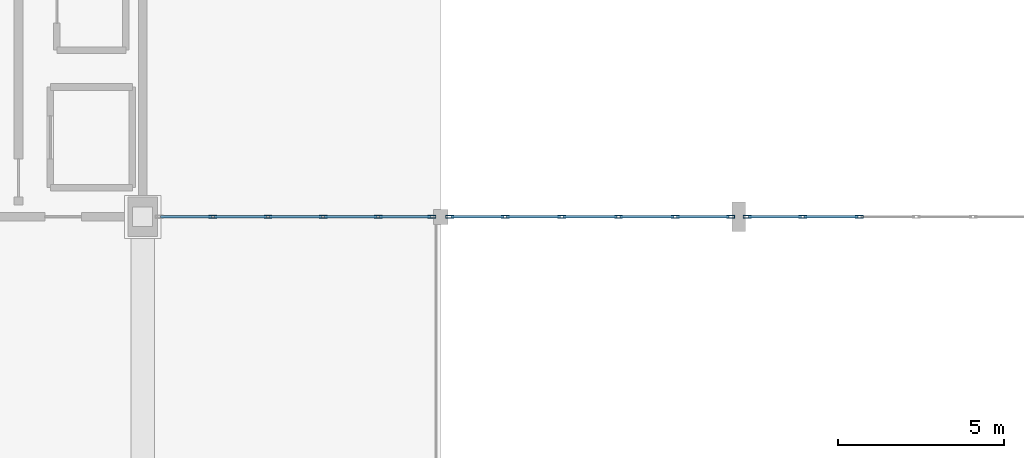
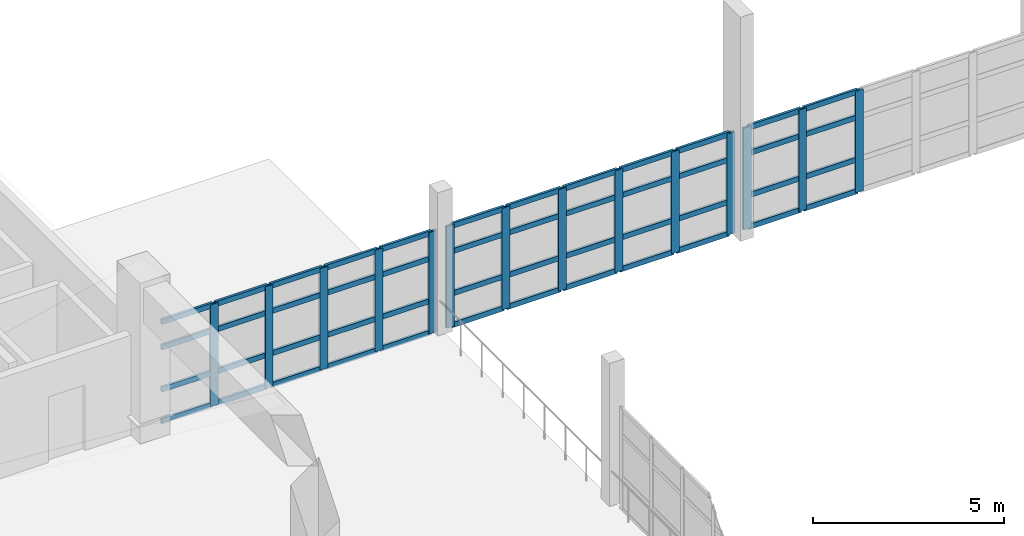
# One storey, part 28 of 80: 62 members, 3 elements without a shape of their own.
"""IFC4 building model written with IfcOpenShell, lengths in metres."""

from ifc_helpers import new_model, si_unit, direction, frame, origin, origin_2d, place, context, subcontext, project, spatial, hollow_rectangle, extrude, material, layer, layer_set, material_profile, profile_set, type_object, element, aggregate, save


model = new_model("IFC4")

# Units and contexts
model_context = context("Model", 3, precision=1e-05, world=origin(), true_north=direction((0.0, 1.0)))
body_context = subcontext(model_context, "Body", "Model", "MODEL_VIEW")
ifc_project = project(units=[si_unit("LENGTHUNIT", "METRE"), si_unit("AREAUNIT", "SQUARE_METRE"), si_unit("VOLUMEUNIT", "CUBIC_METRE"), si_unit("PLANEANGLEUNIT", "RADIAN"), si_unit("MASSUNIT", "GRAM", prefix="KILO")], contexts=[model_context])

# Site, building, storey
site_placement = place(None, origin())
site = spatial("IfcSite", under=ifc_project, at=site_placement, CompositionType="ELEMENT")
building_placement = place(site_placement, origin())
building = spatial("IfcBuilding", under=site, at=building_placement, Name="Ornek Quay Market", CompositionType="ELEMENT")
storey_placement = place(building_placement, frame((0.0, 0.0, 8.39990234375)))
storey = spatial("IfcBuildingStorey", under=building, at=storey_placement, Name="L02", CompositionType="ELEMENT", Elevation=8.39990234375)

# Curtain wall, members
ifc_material_1 = material(Name="Anodised bronze aluminium and triple low-e glass", Category="aluminium")
ifc_layer = layer(ifc_material_1, 0.239990234375, Name="Anodised bronze aluminium and triple low-e glass", Category="aluminium")
ifc_layer_set = layer_set([ifc_layer], Name="Anodised bronze aluminium and triple low-e glass")
curtain_wall_type = type_object("IfcCurtainWallType", Name="CW-GAB-MOD1800", PredefinedType="USERDEFINED", material=ifc_layer_set)
curtain_wall_1_placement = place(storey_placement, origin())
curtain_wall_1 = element("IfcCurtainWall", 1, at=curtain_wall_1_placement, inside=storey, type_object=curtain_wall_type, Name="Curtain wall CW-064", ObjectType="CURTAIN WALL", PredefinedType="USERDEFINED")
ifc_material_2 = material(Name="Anodised aluminium 6063-T6", Category="aluminium")
ifc_material_profile_1 = material_profile(ifc_material_2, hollow_rectangle(XDim=0.080078125, YDim=0.239990234375, WallThickness=0.006103515625, at=origin_2d()), Name="CW-MUL-80x240", Category="aluminium")
ifc_profile_set_1 = profile_set([ifc_material_profile_1], Name="Anodised aluminium 6063-T6")
member_type_1 = type_object("IfcMemberType", Name="CW-MUL-80x240", PredefinedType="MULLION", material=ifc_profile_set_1)
member_1_placement = place(storey_placement, frame((65.1220703125, 92.0, 0.0), z_axis=(0.0, 0.0, 1.0), x_axis=(0.0, 1.0, 0.0)))
member_1 = element("IfcMember", 2, at=member_1_placement, type_object=member_type_1, Name="CW-064 mullion 2", PredefinedType="MULLION", context=body_context, shape_type="SweptSolid", body=[
    extrude(hollow_rectangle(XDim=0.080078125, YDim=0.239990234375, WallThickness=0.006103515625, at=origin_2d()), origin(), (0.0, 0.0, 1.0), 3.25),
])
member_2_placement = place(storey_placement, frame((66.783935546875, 92.0, 0.0), z_axis=(0.0, 0.0, 1.0), x_axis=(0.0, 1.0, 0.0)))
member_2 = element("IfcMember", 3, at=member_2_placement, type_object=member_type_1, Name="CW-064 mullion 3", PredefinedType="MULLION", context=body_context, shape_type="SweptSolid", body=[
    extrude(hollow_rectangle(XDim=0.080078125, YDim=0.239990234375, WallThickness=0.006103515625, at=origin_2d()), origin(), (0.0, 0.0, 1.0), 3.25),
])
member_3_placement = place(storey_placement, frame((68.446044921875, 92.0, 0.0), z_axis=(0.0, 0.0, 1.0), x_axis=(0.0, 1.0, 0.0)))
member_3 = element("IfcMember", 4, at=member_3_placement, type_object=member_type_1, Name="CW-064 mullion 4", PredefinedType="MULLION", context=body_context, shape_type="SweptSolid", body=[
    extrude(hollow_rectangle(XDim=0.080078125, YDim=0.239990234375, WallThickness=0.006103515625, at=origin_2d()), origin(), (0.0, 0.0, 1.0), 3.25),
])
member_4_placement = place(storey_placement, frame((70.10791015625, 92.0, 0.0), z_axis=(0.0, 0.0, 1.0), x_axis=(0.0, 1.0, 0.0)))
member_4 = element("IfcMember", 5, at=member_4_placement, type_object=member_type_1, Name="CW-064 mullion 5", PredefinedType="MULLION", context=body_context, shape_type="SweptSolid", body=[
    extrude(hollow_rectangle(XDim=0.080078125, YDim=0.239990234375, WallThickness=0.006103515625, at=origin_2d()), origin(), (0.0, 0.0, 1.0), 3.25),
])
member_5_placement = place(storey_placement, frame((71.72998046875, 92.0, 0.0), z_axis=(0.0, 0.0, 1.0), x_axis=(0.0, 1.0, 0.0)))
member_5 = element("IfcMember", 6, at=member_5_placement, type_object=member_type_1, Name="CW-064 mullion 6", PredefinedType="MULLION", context=body_context, shape_type="SweptSolid", body=[
    extrude(hollow_rectangle(XDim=0.080078125, YDim=0.239990234375, WallThickness=0.006103515625, at=origin_2d()), origin(), (0.0, 0.0, 1.0), 3.25),
])

curtain_wall_2_placement = place(storey_placement, origin())
curtain_wall_2 = element("IfcCurtainWall", 7, at=curtain_wall_2_placement, inside=storey, type_object=curtain_wall_type, Name="Curtain wall CW-067", ObjectType="CURTAIN WALL", PredefinedType="USERDEFINED")
member_6_placement = place(storey_placement, frame((72.27001953125, 92.0, 0.0), z_axis=(0.0, 0.0, 1.0), x_axis=(0.0, 1.0, 0.0)))
member_6 = element("IfcMember", 8, at=member_6_placement, type_object=member_type_1, Name="CW-067 mullion 1", PredefinedType="MULLION", context=body_context, shape_type="SweptSolid", body=[
    extrude(hollow_rectangle(XDim=0.080078125, YDim=0.239990234375, WallThickness=0.006103515625, at=origin_2d()), origin(), (0.0, 0.0, 1.0), 3.25),
])
member_7_placement = place(storey_placement, frame((73.94189453125, 92.0, 0.0), z_axis=(0.0, 0.0, 1.0), x_axis=(0.0, 1.0, 0.0)))
member_7 = element("IfcMember", 9, at=member_7_placement, type_object=member_type_1, Name="CW-067 mullion 2", PredefinedType="MULLION", context=body_context, shape_type="SweptSolid", body=[
    extrude(hollow_rectangle(XDim=0.080078125, YDim=0.239990234375, WallThickness=0.006103515625, at=origin_2d()), origin(), (0.0, 0.0, 1.0), 3.25),
])
member_8_placement = place(storey_placement, frame((75.654052734375, 92.0, 0.0), z_axis=(0.0, 0.0, 1.0), x_axis=(0.0, 1.0, 0.0)))
member_8 = element("IfcMember", 10, at=member_8_placement, type_object=member_type_1, Name="CW-067 mullion 3", PredefinedType="MULLION", context=body_context, shape_type="SweptSolid", body=[
    extrude(hollow_rectangle(XDim=0.080078125, YDim=0.239990234375, WallThickness=0.006103515625, at=origin_2d()), origin(), (0.0, 0.0, 1.0), 3.25),
])
member_9_placement = place(storey_placement, frame((77.365966796875, 92.0, 0.0), z_axis=(0.0, 0.0, 1.0), x_axis=(0.0, 1.0, 0.0)))
member_9 = element("IfcMember", 11, at=member_9_placement, type_object=member_type_1, Name="CW-067 mullion 4", PredefinedType="MULLION", context=body_context, shape_type="SweptSolid", body=[
    extrude(hollow_rectangle(XDim=0.080078125, YDim=0.239990234375, WallThickness=0.006103515625, at=origin_2d()), origin(), (0.0, 0.0, 1.0), 3.25),
])
member_10_placement = place(storey_placement, frame((79.077880859375, 92.0, 0.0), z_axis=(0.0, 0.0, 1.0), x_axis=(0.0, 1.0, 0.0)))
member_10 = element("IfcMember", 12, at=member_10_placement, type_object=member_type_1, Name="CW-067 mullion 5", PredefinedType="MULLION", context=body_context, shape_type="SweptSolid", body=[
    extrude(hollow_rectangle(XDim=0.080078125, YDim=0.239990234375, WallThickness=0.006103515625, at=origin_2d()), origin(), (0.0, 0.0, 1.0), 3.25),
])
member_11_placement = place(storey_placement, frame((80.75, 92.0, 0.0), z_axis=(0.0, 0.0, 1.0), x_axis=(0.0, 1.0, 0.0)))
member_11 = element("IfcMember", 13, at=member_11_placement, type_object=member_type_1, Name="CW-067 mullion 6", PredefinedType="MULLION", context=body_context, shape_type="SweptSolid", body=[
    extrude(hollow_rectangle(XDim=0.080078125, YDim=0.239990234375, WallThickness=0.006103515625, at=origin_2d()), origin(), (0.0, 0.0, 1.0), 3.25),
])

curtain_wall_3_placement = place(storey_placement, origin())
curtain_wall_3 = element("IfcCurtainWall", 14, at=curtain_wall_3_placement, inside=storey, type_object=curtain_wall_type, Name="Curtain wall CW-070", ObjectType="CURTAIN WALL", PredefinedType="USERDEFINED")
member_12_placement = place(storey_placement, frame((81.25, 92.0, 0.0), z_axis=(0.0, 0.0, 1.0), x_axis=(0.0, 1.0, 0.0)))
member_12 = element("IfcMember", 15, at=member_12_placement, type_object=member_type_1, Name="CW-070 mullion 1", PredefinedType="MULLION", context=body_context, shape_type="SweptSolid", body=[
    extrude(hollow_rectangle(XDim=0.080078125, YDim=0.239990234375, WallThickness=0.006103515625, at=origin_2d()), origin(), (0.0, 0.0, 1.0), 3.25),
])
member_13_placement = place(storey_placement, frame((82.926025390625, 92.0, 0.0), z_axis=(0.0, 0.0, 1.0), x_axis=(0.0, 1.0, 0.0)))
member_13 = element("IfcMember", 16, at=member_13_placement, type_object=member_type_1, Name="CW-070 mullion 2", PredefinedType="MULLION", context=body_context, shape_type="SweptSolid", body=[
    extrude(hollow_rectangle(XDim=0.080078125, YDim=0.239990234375, WallThickness=0.006103515625, at=origin_2d()), origin(), (0.0, 0.0, 1.0), 3.25),
])
member_14_placement = place(storey_placement, frame((84.64208984375, 92.0, 0.0), z_axis=(0.0, 0.0, 1.0), x_axis=(0.0, 1.0, 0.0)))
member_14 = element("IfcMember", 17, at=member_14_placement, type_object=member_type_1, Name="CW-070 mullion 3", PredefinedType="MULLION", context=body_context, shape_type="SweptSolid", body=[
    extrude(hollow_rectangle(XDim=0.080078125, YDim=0.239990234375, WallThickness=0.006103515625, at=origin_2d()), origin(), (0.0, 0.0, 1.0), 3.25),
])

# Member
ifc_material_profile_2 = material_profile(ifc_material_2, hollow_rectangle(XDim=0.074951171875, YDim=0.1650390625, WallThickness=0.0048828125, at=origin_2d()), Name="CW-TRN-75x165", Category="aluminium")
ifc_profile_set_2 = profile_set([ifc_material_profile_2], Name="Anodised aluminium 6063-T6")
member_type_2 = type_object("IfcMemberType", Name="CW-TRN-75x165", PredefinedType="USERDEFINED", material=ifc_profile_set_2)
member_15_placement = place(storey_placement, frame((63.5400390625, 92.0, 0.03759765625), z_axis=(1.0, 0.0, 0.0), x_axis=(0.0, 1.0, 0.0)))
member_15 = element("IfcMember", 18, at=member_15_placement, type_object=member_type_2, Name="CW-064 transom 1.1", ObjectType="TRANSOM", PredefinedType="USERDEFINED", context=body_context, shape_type="SweptSolid", body=[
    extrude(hollow_rectangle(XDim=0.074951171875, YDim=0.1650390625, WallThickness=0.0048828125, at=origin_2d()), origin(), (0.0, 0.0, 1.0), 1.5419921875),
])

member_16_placement = place(storey_placement, frame((63.5400390625, 92.0, 1.050048828125), z_axis=(1.0, 0.0, 0.0), x_axis=(0.0, 1.0, 0.0)))
member_16 = element("IfcMember", 19, at=member_16_placement, type_object=member_type_2, Name="CW-064 transom 1.2", ObjectType="TRANSOM", PredefinedType="USERDEFINED", context=body_context, shape_type="SweptSolid", body=[
    extrude(hollow_rectangle(XDim=0.074951171875, YDim=0.1650390625, WallThickness=0.0048828125, at=origin_2d()), origin(), (0.0, 0.0, 1.0), 1.5419921875),
])

member_17_placement = place(storey_placement, frame((63.5400390625, 92.0, 2.400146484375), z_axis=(1.0, 0.0, 0.0), x_axis=(0.0, 1.0, 0.0)))
member_17 = element("IfcMember", 20, at=member_17_placement, type_object=member_type_2, Name="CW-064 transom 1.3", ObjectType="TRANSOM", PredefinedType="USERDEFINED", context=body_context, shape_type="SweptSolid", body=[
    extrude(hollow_rectangle(XDim=0.074951171875, YDim=0.1650390625, WallThickness=0.0048828125, at=origin_2d()), origin(), (0.0, 0.0, 1.0), 1.5419921875),
])

member_18_placement = place(storey_placement, frame((63.5400390625, 92.0, 3.212646484375), z_axis=(1.0, 0.0, 0.0), x_axis=(0.0, 1.0, 0.0)))
member_18 = element("IfcMember", 21, at=member_18_placement, type_object=member_type_2, Name="CW-064 transom 1.4", ObjectType="TRANSOM", PredefinedType="USERDEFINED", context=body_context, shape_type="SweptSolid", body=[
    extrude(hollow_rectangle(XDim=0.074951171875, YDim=0.1650390625, WallThickness=0.0048828125, at=origin_2d()), origin(), (0.0, 0.0, 1.0), 1.5419921875),
])

member_19_placement = place(storey_placement, frame((65.162109375, 92.0, 0.03759765625), z_axis=(1.0, 0.0, 0.0), x_axis=(0.0, 1.0, 0.0)))
member_19 = element("IfcMember", 22, at=member_19_placement, type_object=member_type_2, Name="CW-064 transom 2.1", ObjectType="TRANSOM", PredefinedType="USERDEFINED", context=body_context, shape_type="SweptSolid", body=[
    extrude(hollow_rectangle(XDim=0.074951171875, YDim=0.1650390625, WallThickness=0.0048828125, at=origin_2d()), origin(), (0.0, 0.0, 1.0), 1.581787109375),
])

member_20_placement = place(storey_placement, frame((65.162109375, 92.0, 1.050048828125), z_axis=(1.0, 0.0, 0.0), x_axis=(0.0, 1.0, 0.0)))
member_20 = element("IfcMember", 23, at=member_20_placement, type_object=member_type_2, Name="CW-064 transom 2.2", ObjectType="TRANSOM", PredefinedType="USERDEFINED", context=body_context, shape_type="SweptSolid", body=[
    extrude(hollow_rectangle(XDim=0.074951171875, YDim=0.1650390625, WallThickness=0.0048828125, at=origin_2d()), origin(), (0.0, 0.0, 1.0), 1.581787109375),
])

member_21_placement = place(storey_placement, frame((65.162109375, 92.0, 2.400146484375), z_axis=(1.0, 0.0, 0.0), x_axis=(0.0, 1.0, 0.0)))
member_21 = element("IfcMember", 24, at=member_21_placement, type_object=member_type_2, Name="CW-064 transom 2.3", ObjectType="TRANSOM", PredefinedType="USERDEFINED", context=body_context, shape_type="SweptSolid", body=[
    extrude(hollow_rectangle(XDim=0.074951171875, YDim=0.1650390625, WallThickness=0.0048828125, at=origin_2d()), origin(), (0.0, 0.0, 1.0), 1.581787109375),
])

member_22_placement = place(storey_placement, frame((65.162109375, 92.0, 3.212646484375), z_axis=(1.0, 0.0, 0.0), x_axis=(0.0, 1.0, 0.0)))
member_22 = element("IfcMember", 25, at=member_22_placement, type_object=member_type_2, Name="CW-064 transom 2.4", ObjectType="TRANSOM", PredefinedType="USERDEFINED", context=body_context, shape_type="SweptSolid", body=[
    extrude(hollow_rectangle(XDim=0.074951171875, YDim=0.1650390625, WallThickness=0.0048828125, at=origin_2d()), origin(), (0.0, 0.0, 1.0), 1.581787109375),
])

member_23_placement = place(storey_placement, frame((66.823974609375, 92.0, 0.03759765625), z_axis=(1.0, 0.0, 0.0), x_axis=(0.0, 1.0, 0.0)))
member_23 = element("IfcMember", 26, at=member_23_placement, type_object=member_type_2, Name="CW-064 transom 3.1", ObjectType="TRANSOM", PredefinedType="USERDEFINED", context=body_context, shape_type="SweptSolid", body=[
    extrude(hollow_rectangle(XDim=0.074951171875, YDim=0.1650390625, WallThickness=0.0048828125, at=origin_2d()), origin(), (0.0, 0.0, 1.0), 1.58203125),
])

member_24_placement = place(storey_placement, frame((66.823974609375, 92.0, 1.050048828125), z_axis=(1.0, 0.0, 0.0), x_axis=(0.0, 1.0, 0.0)))
member_24 = element("IfcMember", 27, at=member_24_placement, type_object=member_type_2, Name="CW-064 transom 3.2", ObjectType="TRANSOM", PredefinedType="USERDEFINED", context=body_context, shape_type="SweptSolid", body=[
    extrude(hollow_rectangle(XDim=0.074951171875, YDim=0.1650390625, WallThickness=0.0048828125, at=origin_2d()), origin(), (0.0, 0.0, 1.0), 1.58203125),
])

member_25_placement = place(storey_placement, frame((66.823974609375, 92.0, 2.400146484375), z_axis=(1.0, 0.0, 0.0), x_axis=(0.0, 1.0, 0.0)))
member_25 = element("IfcMember", 28, at=member_25_placement, type_object=member_type_2, Name="CW-064 transom 3.3", ObjectType="TRANSOM", PredefinedType="USERDEFINED", context=body_context, shape_type="SweptSolid", body=[
    extrude(hollow_rectangle(XDim=0.074951171875, YDim=0.1650390625, WallThickness=0.0048828125, at=origin_2d()), origin(), (0.0, 0.0, 1.0), 1.58203125),
])

member_26_placement = place(storey_placement, frame((66.823974609375, 92.0, 3.212646484375), z_axis=(1.0, 0.0, 0.0), x_axis=(0.0, 1.0, 0.0)))
member_26 = element("IfcMember", 29, at=member_26_placement, type_object=member_type_2, Name="CW-064 transom 3.4", ObjectType="TRANSOM", PredefinedType="USERDEFINED", context=body_context, shape_type="SweptSolid", body=[
    extrude(hollow_rectangle(XDim=0.074951171875, YDim=0.1650390625, WallThickness=0.0048828125, at=origin_2d()), origin(), (0.0, 0.0, 1.0), 1.58203125),
])

member_27_placement = place(storey_placement, frame((68.486083984375, 92.0, 0.03759765625), z_axis=(1.0, 0.0, 0.0), x_axis=(0.0, 1.0, 0.0)))
member_27 = element("IfcMember", 30, at=member_27_placement, type_object=member_type_2, Name="CW-064 transom 4.1", ObjectType="TRANSOM", PredefinedType="USERDEFINED", context=body_context, shape_type="SweptSolid", body=[
    extrude(hollow_rectangle(XDim=0.074951171875, YDim=0.1650390625, WallThickness=0.0048828125, at=origin_2d()), origin(), (0.0, 0.0, 1.0), 1.58203125),
])

member_28_placement = place(storey_placement, frame((68.486083984375, 92.0, 1.050048828125), z_axis=(1.0, 0.0, 0.0), x_axis=(0.0, 1.0, 0.0)))
member_28 = element("IfcMember", 31, at=member_28_placement, type_object=member_type_2, Name="CW-064 transom 4.2", ObjectType="TRANSOM", PredefinedType="USERDEFINED", context=body_context, shape_type="SweptSolid", body=[
    extrude(hollow_rectangle(XDim=0.074951171875, YDim=0.1650390625, WallThickness=0.0048828125, at=origin_2d()), origin(), (0.0, 0.0, 1.0), 1.58203125),
])

member_29_placement = place(storey_placement, frame((68.486083984375, 92.0, 2.400146484375), z_axis=(1.0, 0.0, 0.0), x_axis=(0.0, 1.0, 0.0)))
member_29 = element("IfcMember", 32, at=member_29_placement, type_object=member_type_2, Name="CW-064 transom 4.3", ObjectType="TRANSOM", PredefinedType="USERDEFINED", context=body_context, shape_type="SweptSolid", body=[
    extrude(hollow_rectangle(XDim=0.074951171875, YDim=0.1650390625, WallThickness=0.0048828125, at=origin_2d()), origin(), (0.0, 0.0, 1.0), 1.58203125),
])

member_30_placement = place(storey_placement, frame((68.486083984375, 92.0, 3.212646484375), z_axis=(1.0, 0.0, 0.0), x_axis=(0.0, 1.0, 0.0)))
member_30 = element("IfcMember", 33, at=member_30_placement, type_object=member_type_2, Name="CW-064 transom 4.4", ObjectType="TRANSOM", PredefinedType="USERDEFINED", context=body_context, shape_type="SweptSolid", body=[
    extrude(hollow_rectangle(XDim=0.074951171875, YDim=0.1650390625, WallThickness=0.0048828125, at=origin_2d()), origin(), (0.0, 0.0, 1.0), 1.58203125),
])

member_31_placement = place(storey_placement, frame((70.14794921875, 92.0, 0.03759765625), z_axis=(1.0, 0.0, 0.0), x_axis=(0.0, 1.0, 0.0)))
member_31 = element("IfcMember", 34, at=member_31_placement, type_object=member_type_2, Name="CW-064 transom 5.1", ObjectType="TRANSOM", PredefinedType="USERDEFINED", context=body_context, shape_type="SweptSolid", body=[
    extrude(hollow_rectangle(XDim=0.074951171875, YDim=0.1650390625, WallThickness=0.0048828125, at=origin_2d()), origin(), (0.0, 0.0, 1.0), 1.5419921875),
])

member_32_placement = place(storey_placement, frame((70.14794921875, 92.0, 1.050048828125), z_axis=(1.0, 0.0, 0.0), x_axis=(0.0, 1.0, 0.0)))
member_32 = element("IfcMember", 35, at=member_32_placement, type_object=member_type_2, Name="CW-064 transom 5.2", ObjectType="TRANSOM", PredefinedType="USERDEFINED", context=body_context, shape_type="SweptSolid", body=[
    extrude(hollow_rectangle(XDim=0.074951171875, YDim=0.1650390625, WallThickness=0.0048828125, at=origin_2d()), origin(), (0.0, 0.0, 1.0), 1.5419921875),
])

member_33_placement = place(storey_placement, frame((70.14794921875, 92.0, 2.400146484375), z_axis=(1.0, 0.0, 0.0), x_axis=(0.0, 1.0, 0.0)))
member_33 = element("IfcMember", 36, at=member_33_placement, type_object=member_type_2, Name="CW-064 transom 5.3", ObjectType="TRANSOM", PredefinedType="USERDEFINED", context=body_context, shape_type="SweptSolid", body=[
    extrude(hollow_rectangle(XDim=0.074951171875, YDim=0.1650390625, WallThickness=0.0048828125, at=origin_2d()), origin(), (0.0, 0.0, 1.0), 1.5419921875),
])

member_34_placement = place(storey_placement, frame((70.14794921875, 92.0, 3.212646484375), z_axis=(1.0, 0.0, 0.0), x_axis=(0.0, 1.0, 0.0)))
member_34 = element("IfcMember", 37, at=member_34_placement, type_object=member_type_2, Name="CW-064 transom 5.4", ObjectType="TRANSOM", PredefinedType="USERDEFINED", context=body_context, shape_type="SweptSolid", body=[
    extrude(hollow_rectangle(XDim=0.074951171875, YDim=0.1650390625, WallThickness=0.0048828125, at=origin_2d()), origin(), (0.0, 0.0, 1.0), 1.5419921875),
])

aggregate(curtain_wall_1, [member_1, member_2, member_3, member_4, member_5, member_15, member_16, member_17, member_18, member_19, member_20, member_21, member_22, member_23, member_24, member_25, member_26, member_27, member_28, member_29, member_30, member_31, member_32, member_33, member_34])

member_35_placement = place(storey_placement, frame((72.31005859375, 92.0, 0.03759765625), z_axis=(1.0, 0.0, 0.0), x_axis=(0.0, 1.0, 0.0)))
member_35 = element("IfcMember", 38, at=member_35_placement, type_object=member_type_2, Name="CW-067 transom 1.1", ObjectType="TRANSOM", PredefinedType="USERDEFINED", context=body_context, shape_type="SweptSolid", body=[
    extrude(hollow_rectangle(XDim=0.074951171875, YDim=0.1650390625, WallThickness=0.0048828125, at=origin_2d()), origin(), (0.0, 0.0, 1.0), 1.592041015625),
])

member_36_placement = place(storey_placement, frame((72.31005859375, 92.0, 1.050048828125), z_axis=(1.0, 0.0, 0.0), x_axis=(0.0, 1.0, 0.0)))
member_36 = element("IfcMember", 39, at=member_36_placement, type_object=member_type_2, Name="CW-067 transom 1.2", ObjectType="TRANSOM", PredefinedType="USERDEFINED", context=body_context, shape_type="SweptSolid", body=[
    extrude(hollow_rectangle(XDim=0.074951171875, YDim=0.1650390625, WallThickness=0.0048828125, at=origin_2d()), origin(), (0.0, 0.0, 1.0), 1.592041015625),
])

member_37_placement = place(storey_placement, frame((72.31005859375, 92.0, 2.400146484375), z_axis=(1.0, 0.0, 0.0), x_axis=(0.0, 1.0, 0.0)))
member_37 = element("IfcMember", 40, at=member_37_placement, type_object=member_type_2, Name="CW-067 transom 1.3", ObjectType="TRANSOM", PredefinedType="USERDEFINED", context=body_context, shape_type="SweptSolid", body=[
    extrude(hollow_rectangle(XDim=0.074951171875, YDim=0.1650390625, WallThickness=0.0048828125, at=origin_2d()), origin(), (0.0, 0.0, 1.0), 1.592041015625),
])

member_38_placement = place(storey_placement, frame((72.31005859375, 92.0, 3.212646484375), z_axis=(1.0, 0.0, 0.0), x_axis=(0.0, 1.0, 0.0)))
member_38 = element("IfcMember", 41, at=member_38_placement, type_object=member_type_2, Name="CW-067 transom 1.4", ObjectType="TRANSOM", PredefinedType="USERDEFINED", context=body_context, shape_type="SweptSolid", body=[
    extrude(hollow_rectangle(XDim=0.074951171875, YDim=0.1650390625, WallThickness=0.0048828125, at=origin_2d()), origin(), (0.0, 0.0, 1.0), 1.592041015625),
])

member_39_placement = place(storey_placement, frame((73.98193359375, 92.0, 0.03759765625), z_axis=(1.0, 0.0, 0.0), x_axis=(0.0, 1.0, 0.0)))
member_39 = element("IfcMember", 42, at=member_39_placement, type_object=member_type_2, Name="CW-067 transom 2.1", ObjectType="TRANSOM", PredefinedType="USERDEFINED", context=body_context, shape_type="SweptSolid", body=[
    extrude(hollow_rectangle(XDim=0.074951171875, YDim=0.1650390625, WallThickness=0.0048828125, at=origin_2d()), origin(), (0.0, 0.0, 1.0), 1.632080078125),
])

member_40_placement = place(storey_placement, frame((73.98193359375, 92.0, 1.050048828125), z_axis=(1.0, 0.0, 0.0), x_axis=(0.0, 1.0, 0.0)))
member_40 = element("IfcMember", 43, at=member_40_placement, type_object=member_type_2, Name="CW-067 transom 2.2", ObjectType="TRANSOM", PredefinedType="USERDEFINED", context=body_context, shape_type="SweptSolid", body=[
    extrude(hollow_rectangle(XDim=0.074951171875, YDim=0.1650390625, WallThickness=0.0048828125, at=origin_2d()), origin(), (0.0, 0.0, 1.0), 1.632080078125),
])

member_41_placement = place(storey_placement, frame((73.98193359375, 92.0, 2.400146484375), z_axis=(1.0, 0.0, 0.0), x_axis=(0.0, 1.0, 0.0)))
member_41 = element("IfcMember", 44, at=member_41_placement, type_object=member_type_2, Name="CW-067 transom 2.3", ObjectType="TRANSOM", PredefinedType="USERDEFINED", context=body_context, shape_type="SweptSolid", body=[
    extrude(hollow_rectangle(XDim=0.074951171875, YDim=0.1650390625, WallThickness=0.0048828125, at=origin_2d()), origin(), (0.0, 0.0, 1.0), 1.632080078125),
])

member_42_placement = place(storey_placement, frame((73.98193359375, 92.0, 3.212646484375), z_axis=(1.0, 0.0, 0.0), x_axis=(0.0, 1.0, 0.0)))
member_42 = element("IfcMember", 45, at=member_42_placement, type_object=member_type_2, Name="CW-067 transom 2.4", ObjectType="TRANSOM", PredefinedType="USERDEFINED", context=body_context, shape_type="SweptSolid", body=[
    extrude(hollow_rectangle(XDim=0.074951171875, YDim=0.1650390625, WallThickness=0.0048828125, at=origin_2d()), origin(), (0.0, 0.0, 1.0), 1.632080078125),
])

member_43_placement = place(storey_placement, frame((75.694091796875, 92.0, 0.03759765625), z_axis=(1.0, 0.0, 0.0), x_axis=(0.0, 1.0, 0.0)))
member_43 = element("IfcMember", 46, at=member_43_placement, type_object=member_type_2, Name="CW-067 transom 3.1", ObjectType="TRANSOM", PredefinedType="USERDEFINED", context=body_context, shape_type="SweptSolid", body=[
    extrude(hollow_rectangle(XDim=0.074951171875, YDim=0.1650390625, WallThickness=0.0048828125, at=origin_2d()), origin(), (0.0, 0.0, 1.0), 1.6318359375),
])

member_44_placement = place(storey_placement, frame((75.694091796875, 92.0, 1.050048828125), z_axis=(1.0, 0.0, 0.0), x_axis=(0.0, 1.0, 0.0)))
member_44 = element("IfcMember", 47, at=member_44_placement, type_object=member_type_2, Name="CW-067 transom 3.2", ObjectType="TRANSOM", PredefinedType="USERDEFINED", context=body_context, shape_type="SweptSolid", body=[
    extrude(hollow_rectangle(XDim=0.074951171875, YDim=0.1650390625, WallThickness=0.0048828125, at=origin_2d()), origin(), (0.0, 0.0, 1.0), 1.6318359375),
])

member_45_placement = place(storey_placement, frame((75.694091796875, 92.0, 2.400146484375), z_axis=(1.0, 0.0, 0.0), x_axis=(0.0, 1.0, 0.0)))
member_45 = element("IfcMember", 48, at=member_45_placement, type_object=member_type_2, Name="CW-067 transom 3.3", ObjectType="TRANSOM", PredefinedType="USERDEFINED", context=body_context, shape_type="SweptSolid", body=[
    extrude(hollow_rectangle(XDim=0.074951171875, YDim=0.1650390625, WallThickness=0.0048828125, at=origin_2d()), origin(), (0.0, 0.0, 1.0), 1.6318359375),
])

member_46_placement = place(storey_placement, frame((75.694091796875, 92.0, 3.212646484375), z_axis=(1.0, 0.0, 0.0), x_axis=(0.0, 1.0, 0.0)))
member_46 = element("IfcMember", 49, at=member_46_placement, type_object=member_type_2, Name="CW-067 transom 3.4", ObjectType="TRANSOM", PredefinedType="USERDEFINED", context=body_context, shape_type="SweptSolid", body=[
    extrude(hollow_rectangle(XDim=0.074951171875, YDim=0.1650390625, WallThickness=0.0048828125, at=origin_2d()), origin(), (0.0, 0.0, 1.0), 1.6318359375),
])

member_47_placement = place(storey_placement, frame((77.406005859375, 92.0, 0.03759765625), z_axis=(1.0, 0.0, 0.0), x_axis=(0.0, 1.0, 0.0)))
member_47 = element("IfcMember", 50, at=member_47_placement, type_object=member_type_2, Name="CW-067 transom 4.1", ObjectType="TRANSOM", PredefinedType="USERDEFINED", context=body_context, shape_type="SweptSolid", body=[
    extrude(hollow_rectangle(XDim=0.074951171875, YDim=0.1650390625, WallThickness=0.0048828125, at=origin_2d()), origin(), (0.0, 0.0, 1.0), 1.632080078125),
])

member_48_placement = place(storey_placement, frame((77.406005859375, 92.0, 1.050048828125), z_axis=(1.0, 0.0, 0.0), x_axis=(0.0, 1.0, 0.0)))
member_48 = element("IfcMember", 51, at=member_48_placement, type_object=member_type_2, Name="CW-067 transom 4.2", ObjectType="TRANSOM", PredefinedType="USERDEFINED", context=body_context, shape_type="SweptSolid", body=[
    extrude(hollow_rectangle(XDim=0.074951171875, YDim=0.1650390625, WallThickness=0.0048828125, at=origin_2d()), origin(), (0.0, 0.0, 1.0), 1.632080078125),
])

member_49_placement = place(storey_placement, frame((77.406005859375, 92.0, 2.400146484375), z_axis=(1.0, 0.0, 0.0), x_axis=(0.0, 1.0, 0.0)))
member_49 = element("IfcMember", 52, at=member_49_placement, type_object=member_type_2, Name="CW-067 transom 4.3", ObjectType="TRANSOM", PredefinedType="USERDEFINED", context=body_context, shape_type="SweptSolid", body=[
    extrude(hollow_rectangle(XDim=0.074951171875, YDim=0.1650390625, WallThickness=0.0048828125, at=origin_2d()), origin(), (0.0, 0.0, 1.0), 1.632080078125),
])

member_50_placement = place(storey_placement, frame((77.406005859375, 92.0, 3.212646484375), z_axis=(1.0, 0.0, 0.0), x_axis=(0.0, 1.0, 0.0)))
member_50 = element("IfcMember", 53, at=member_50_placement, type_object=member_type_2, Name="CW-067 transom 4.4", ObjectType="TRANSOM", PredefinedType="USERDEFINED", context=body_context, shape_type="SweptSolid", body=[
    extrude(hollow_rectangle(XDim=0.074951171875, YDim=0.1650390625, WallThickness=0.0048828125, at=origin_2d()), origin(), (0.0, 0.0, 1.0), 1.632080078125),
])

member_51_placement = place(storey_placement, frame((79.117919921875, 92.0, 0.03759765625), z_axis=(1.0, 0.0, 0.0), x_axis=(0.0, 1.0, 0.0)))
member_51 = element("IfcMember", 54, at=member_51_placement, type_object=member_type_2, Name="CW-067 transom 5.1", ObjectType="TRANSOM", PredefinedType="USERDEFINED", context=body_context, shape_type="SweptSolid", body=[
    extrude(hollow_rectangle(XDim=0.074951171875, YDim=0.1650390625, WallThickness=0.0048828125, at=origin_2d()), origin(), (0.0, 0.0, 1.0), 1.592041015625),
])

member_52_placement = place(storey_placement, frame((79.117919921875, 92.0, 1.050048828125), z_axis=(1.0, 0.0, 0.0), x_axis=(0.0, 1.0, 0.0)))
member_52 = element("IfcMember", 55, at=member_52_placement, type_object=member_type_2, Name="CW-067 transom 5.2", ObjectType="TRANSOM", PredefinedType="USERDEFINED", context=body_context, shape_type="SweptSolid", body=[
    extrude(hollow_rectangle(XDim=0.074951171875, YDim=0.1650390625, WallThickness=0.0048828125, at=origin_2d()), origin(), (0.0, 0.0, 1.0), 1.592041015625),
])

member_53_placement = place(storey_placement, frame((79.117919921875, 92.0, 2.400146484375), z_axis=(1.0, 0.0, 0.0), x_axis=(0.0, 1.0, 0.0)))
member_53 = element("IfcMember", 56, at=member_53_placement, type_object=member_type_2, Name="CW-067 transom 5.3", ObjectType="TRANSOM", PredefinedType="USERDEFINED", context=body_context, shape_type="SweptSolid", body=[
    extrude(hollow_rectangle(XDim=0.074951171875, YDim=0.1650390625, WallThickness=0.0048828125, at=origin_2d()), origin(), (0.0, 0.0, 1.0), 1.592041015625),
])

member_54_placement = place(storey_placement, frame((79.117919921875, 92.0, 3.212646484375), z_axis=(1.0, 0.0, 0.0), x_axis=(0.0, 1.0, 0.0)))
member_54 = element("IfcMember", 57, at=member_54_placement, type_object=member_type_2, Name="CW-067 transom 5.4", ObjectType="TRANSOM", PredefinedType="USERDEFINED", context=body_context, shape_type="SweptSolid", body=[
    extrude(hollow_rectangle(XDim=0.074951171875, YDim=0.1650390625, WallThickness=0.0048828125, at=origin_2d()), origin(), (0.0, 0.0, 1.0), 1.592041015625),
])

aggregate(curtain_wall_2, [member_6, member_7, member_8, member_9, member_10, member_11, member_35, member_36, member_37, member_38, member_39, member_40, member_41, member_42, member_43, member_44, member_45, member_46, member_47, member_48, member_49, member_50, member_51, member_52, member_53, member_54])

member_55_placement = place(storey_placement, frame((81.2900390625, 92.0, 0.03759765625), z_axis=(1.0, 0.0, 0.0), x_axis=(0.0, 1.0, 0.0)))
member_55 = element("IfcMember", 58, at=member_55_placement, type_object=member_type_2, Name="CW-070 transom 1.1", ObjectType="TRANSOM", PredefinedType="USERDEFINED", context=body_context, shape_type="SweptSolid", body=[
    extrude(hollow_rectangle(XDim=0.074951171875, YDim=0.1650390625, WallThickness=0.0048828125, at=origin_2d()), origin(), (0.0, 0.0, 1.0), 1.595947265625),
])

member_56_placement = place(storey_placement, frame((81.2900390625, 92.0, 1.050048828125), z_axis=(1.0, 0.0, 0.0), x_axis=(0.0, 1.0, 0.0)))
member_56 = element("IfcMember", 59, at=member_56_placement, type_object=member_type_2, Name="CW-070 transom 1.2", ObjectType="TRANSOM", PredefinedType="USERDEFINED", context=body_context, shape_type="SweptSolid", body=[
    extrude(hollow_rectangle(XDim=0.074951171875, YDim=0.1650390625, WallThickness=0.0048828125, at=origin_2d()), origin(), (0.0, 0.0, 1.0), 1.595947265625),
])

member_57_placement = place(storey_placement, frame((81.2900390625, 92.0, 2.400146484375), z_axis=(1.0, 0.0, 0.0), x_axis=(0.0, 1.0, 0.0)))
member_57 = element("IfcMember", 60, at=member_57_placement, type_object=member_type_2, Name="CW-070 transom 1.3", ObjectType="TRANSOM", PredefinedType="USERDEFINED", context=body_context, shape_type="SweptSolid", body=[
    extrude(hollow_rectangle(XDim=0.074951171875, YDim=0.1650390625, WallThickness=0.0048828125, at=origin_2d()), origin(), (0.0, 0.0, 1.0), 1.595947265625),
])

member_58_placement = place(storey_placement, frame((81.2900390625, 92.0, 3.212646484375), z_axis=(1.0, 0.0, 0.0), x_axis=(0.0, 1.0, 0.0)))
member_58 = element("IfcMember", 61, at=member_58_placement, type_object=member_type_2, Name="CW-070 transom 1.4", ObjectType="TRANSOM", PredefinedType="USERDEFINED", context=body_context, shape_type="SweptSolid", body=[
    extrude(hollow_rectangle(XDim=0.074951171875, YDim=0.1650390625, WallThickness=0.0048828125, at=origin_2d()), origin(), (0.0, 0.0, 1.0), 1.595947265625),
])

member_59_placement = place(storey_placement, frame((82.966064453125, 92.0, 0.03759765625), z_axis=(1.0, 0.0, 0.0), x_axis=(0.0, 1.0, 0.0)))
member_59 = element("IfcMember", 62, at=member_59_placement, type_object=member_type_2, Name="CW-070 transom 2.1", ObjectType="TRANSOM", PredefinedType="USERDEFINED", context=body_context, shape_type="SweptSolid", body=[
    extrude(hollow_rectangle(XDim=0.074951171875, YDim=0.1650390625, WallThickness=0.0048828125, at=origin_2d()), origin(), (0.0, 0.0, 1.0), 1.635986328125),
])

member_60_placement = place(storey_placement, frame((82.966064453125, 92.0, 1.050048828125), z_axis=(1.0, 0.0, 0.0), x_axis=(0.0, 1.0, 0.0)))
member_60 = element("IfcMember", 63, at=member_60_placement, type_object=member_type_2, Name="CW-070 transom 2.2", ObjectType="TRANSOM", PredefinedType="USERDEFINED", context=body_context, shape_type="SweptSolid", body=[
    extrude(hollow_rectangle(XDim=0.074951171875, YDim=0.1650390625, WallThickness=0.0048828125, at=origin_2d()), origin(), (0.0, 0.0, 1.0), 1.635986328125),
])

member_61_placement = place(storey_placement, frame((82.966064453125, 92.0, 2.400146484375), z_axis=(1.0, 0.0, 0.0), x_axis=(0.0, 1.0, 0.0)))
member_61 = element("IfcMember", 64, at=member_61_placement, type_object=member_type_2, Name="CW-070 transom 2.3", ObjectType="TRANSOM", PredefinedType="USERDEFINED", context=body_context, shape_type="SweptSolid", body=[
    extrude(hollow_rectangle(XDim=0.074951171875, YDim=0.1650390625, WallThickness=0.0048828125, at=origin_2d()), origin(), (0.0, 0.0, 1.0), 1.635986328125),
])

member_62_placement = place(storey_placement, frame((82.966064453125, 92.0, 3.212646484375), z_axis=(1.0, 0.0, 0.0), x_axis=(0.0, 1.0, 0.0)))
member_62 = element("IfcMember", 65, at=member_62_placement, type_object=member_type_2, Name="CW-070 transom 2.4", ObjectType="TRANSOM", PredefinedType="USERDEFINED", context=body_context, shape_type="SweptSolid", body=[
    extrude(hollow_rectangle(XDim=0.074951171875, YDim=0.1650390625, WallThickness=0.0048828125, at=origin_2d()), origin(), (0.0, 0.0, 1.0), 1.635986328125),
])

aggregate(curtain_wall_3, [member_12, member_13, member_14, member_55, member_56, member_57, member_58, member_59, member_60, member_61, member_62])

save(model, "model.ifc")
